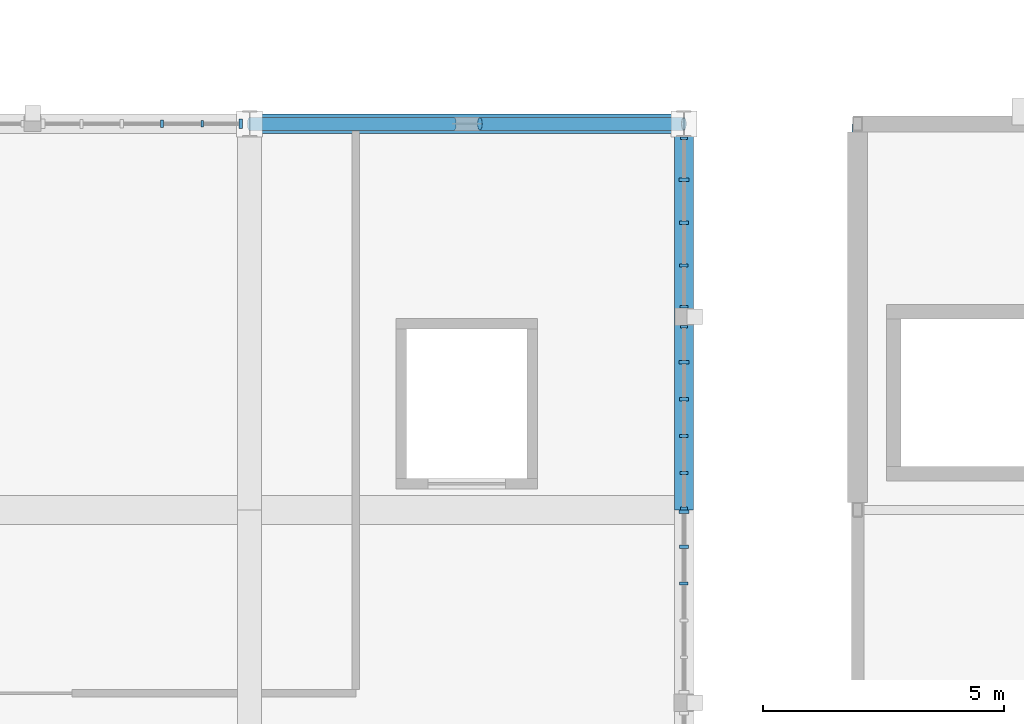
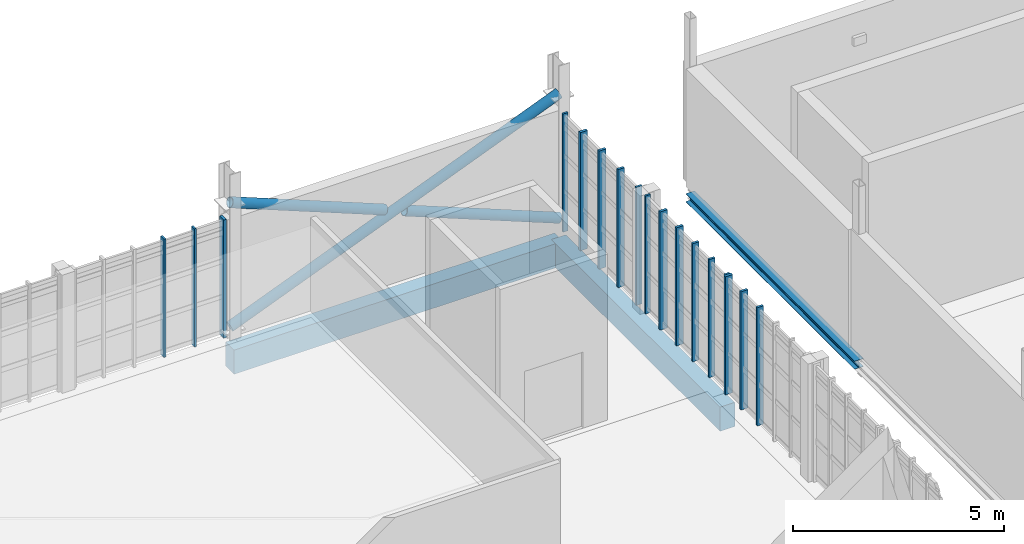
# One storey, part 26 of 128: 20 members, 3 beams, 4 elements without a shape of their own.
"""IFC4 building model written with IfcOpenShell, lengths in metres."""

import ifcopenshell
import ifcopenshell.guid

model = None  # the IFC model being written
_history = None  # IfcOwnerHistory: only IFC2X3 demands one
_inside = {}  # id of a spatial element -> (the spatial element, [elements in it])
_under = {}  # id of a project, library or spatial element -> (it, [spatial elements below it])
_declared = {}  # id of a project -> (the project, [libraries it declares])
_typed = {}  # id of a type object -> (the type object, [elements of that type])
_made_of = {}  # id of a material, layer set ... -> (it, [elements and type objects made of it])


def new_model(schema):
    """Start an empty IFC model of exactly this schema.

    Asked for "IFC4X3", IfcOpenShell would pick the latest addendum, in which some entities
    have other attributes; the version numbers below select the first issue.
    IFC2X3 requires an IfcOwnerHistory on every rooted entity: one is made here for all.
    """
    global model, _history
    if schema == "IFC4X3":
        model = ifcopenshell.file(schema_version=(4, 3, 0, 0))
    else:
        model = ifcopenshell.file(schema=schema)
    _inside.clear()
    _under.clear()
    _declared.clear()
    _typed.clear()
    _made_of.clear()
    _history = None
    if model.schema == "IFC2X3":
        org = make("IfcOrganization", Name="unknown")
        user = make(
            "IfcPersonAndOrganization",
            ThePerson=make("IfcPerson", FamilyName="unknown"),
            TheOrganization=org,
        )
        app = make(
            "IfcApplication",
            ApplicationDeveloper=org,
            Version="unknown",
            ApplicationFullName="unknown",
            ApplicationIdentifier="unknown",
        )
        _history = make(
            "IfcOwnerHistory",
            OwningUser=user,
            OwningApplication=app,
            ChangeAction="ADDED",
            CreationDate=0,
        )
    return model


def make(cls, **values):
    """One entity of the class cls with the attributes given. An attribute that is None is left unset."""
    return model.create_entity(
        cls, **{name: value for name, value in values.items() if value is not None}
    )


def rooted(cls, **values):
    """An entity with a GlobalId (a new one), such as an element, a storey or a relation."""
    return make(cls, GlobalId=ifcopenshell.guid.new(), OwnerHistory=_history, **values)


def si_unit(unit_type, name, prefix=None):
    """IfcSIUnit, for example si_unit("LENGTHUNIT", "METRE", prefix="MILLI")."""
    return make("IfcSIUnit", UnitType=unit_type, Prefix=prefix, Name=name)


def assignment(units):
    """IfcUnitAssignment: the units of a project."""
    return None if units is None else make("IfcUnitAssignment", Units=units)


def point(xyz):
    """IfcCartesianPoint."""
    return None if xyz is None else make("IfcCartesianPoint", Coordinates=xyz)


def direction(xyz):
    """IfcDirection."""
    return None if xyz is None else make("IfcDirection", DirectionRatios=xyz)


def frame(location, z_axis=None, x_axis=None):
    """IfcAxis2Placement3D, a coordinate frame: its origin and axes. An axis left out is left unset."""
    return make(
        "IfcAxis2Placement3D",
        Location=point(location),
        Axis=direction(z_axis),
        RefDirection=direction(x_axis),
    )


def frame_2d(location, x_axis=None):
    """IfcAxis2Placement2D, a coordinate frame in the plane: its origin and x axis."""
    return make(
        "IfcAxis2Placement2D", Location=point(location), RefDirection=direction(x_axis)
    )


def origin():
    """The frame at (0, 0, 0) with its axes left unset."""
    return frame((0.0, 0.0, 0.0))


def origin_2d():
    """The frame at (0, 0) in the plane with its x axis left unset."""
    return frame_2d((0.0, 0.0))


def place(relative_to, where):
    """IfcLocalPlacement: puts the frame where relative to a parent placement (None: the world)."""
    return make(
        "IfcLocalPlacement", PlacementRelTo=relative_to, RelativePlacement=where
    )


def context(
    kind, dimensions, precision=None, world=None, true_north=None, identifier=None
):
    """IfcGeometricRepresentationContext, for example the 3D "Model" context."""
    return make(
        "IfcGeometricRepresentationContext",
        ContextIdentifier=identifier,
        ContextType=kind,
        CoordinateSpaceDimension=dimensions,
        Precision=precision,
        WorldCoordinateSystem=world,
        TrueNorth=true_north,
    )


def subcontext(parent, identifier, kind, view, scale=None):
    """IfcGeometricRepresentationSubContext, for example "Body" below "Model"."""
    return make(
        "IfcGeometricRepresentationSubContext",
        ContextIdentifier=identifier,
        ContextType=kind,
        ParentContext=parent,
        TargetScale=scale,
        TargetView=view,
    )


def project(units=None, contexts=None):
    """IfcProject with its units and contexts."""
    return rooted(
        "IfcProject",
        Name="project",
        RepresentationContexts=contexts,
        UnitsInContext=assignment(units),
    )


def spatial(cls, under=None, at=None, **own):
    """A site, building, storey or space (cls), placed at a placement, below another one or the project."""
    s = rooted(cls, ObjectPlacement=at, **own)
    if under is not None:
        _under.setdefault(under.id(), (under, []))[1].append(s)
    return s


def profile(cls, at=None, kind="AREA", **sizes):
    """A parametric profile (cls). Its sizes go by their IFC names, for example OverallWidth=200.0."""
    return make(cls, ProfileType=kind, Position=at, **sizes)


def rectangle(**sizes):
    """IfcRectangleProfileDef."""
    return profile("IfcRectangleProfileDef", **sizes)


def hollow_circle(**sizes):
    """IfcCircleHollowProfileDef."""
    return profile("IfcCircleHollowProfileDef", **sizes)


def i_section(**sizes):
    """IfcIShapeProfileDef."""
    return profile("IfcIShapeProfileDef", **sizes)


def extrude(swept, where, along, depth):
    """IfcExtrudedAreaSolid: the profile swept, set in the frame where, extruded along a direction by depth."""
    return make(
        "IfcExtrudedAreaSolid",
        SweptArea=swept,
        Position=where,
        ExtrudedDirection=direction(along),
        Depth=depth,
    )


def shape(context_of_items, identifier, shape_type, items):
    """IfcShapeRepresentation: the items that make up one representation, for example the "Body"."""
    return make(
        "IfcShapeRepresentation",
        ContextOfItems=context_of_items,
        RepresentationIdentifier=identifier,
        RepresentationType=shape_type,
        Items=items,
    )


def material(Name=None, Category=None):
    """IfcMaterial."""
    return make("IfcMaterial", Name=Name, Category=Category)


def material_profile(
    of_material, cross_section, Name=None, Category=None, Priority=None
):
    """IfcMaterialProfile: a cross section and its material."""
    return make(
        "IfcMaterialProfile",
        Name=Name,
        Material=of_material,
        Profile=cross_section,
        Priority=Priority,
        Category=Category,
    )


def profile_set(profiles, Name=None, composite=None):
    """IfcMaterialProfileSet."""
    return make(
        "IfcMaterialProfileSet",
        Name=Name,
        MaterialProfiles=profiles,
        CompositeProfile=composite,
    )


def made_of(thing, what):
    """Note that an element or type object is made of a material, layer set ...; save() writes the relation."""
    if what is not None:
        _made_of.setdefault(what.id(), (what, []))[1].append(thing)
    return thing


def type_object(cls, material=None, **own):
    """A type object (cls), such as IfcWallType, which elements share."""
    return made_of(rooted(cls, **own), material)


def element(
    cls,
    number,
    at=None,
    inside=None,
    cuts=None,
    type_object=None,
    material=None,
    context=None,
    identifier="Body",
    shape_type=None,
    held_by="IfcProductDefinitionShape",
    body=None,
    shapes=None,
    **own,
):
    """One element of the class cls, such as IfcWall. Its Tag is "e" and its number.

    at: its placement. inside: the storey or other place that contains it. cuts: it is an
    opening in that element (IfcRelVoidsElement). A single representation is given by context,
    identifier, shape_type and body (its items); several are given by shapes. held_by: the class
    of the entity that holds the representations. save() writes the other relations.
    """
    e = rooted(cls, Tag="e%d" % number, ObjectPlacement=at, **own)
    if body is not None:
        shapes = [shape(context, identifier, shape_type, body)]
    if shapes is not None:
        e.Representation = make(held_by, Representations=shapes)
    if inside is not None:
        _inside.setdefault(inside.id(), (inside, []))[1].append(e)
    if cuts is not None:
        rooted(
            "IfcRelVoidsElement", RelatingBuildingElement=cuts, RelatedOpeningElement=e
        )
    if type_object is not None:
        _typed.setdefault(type_object.id(), (type_object, []))[1].append(e)
    return made_of(e, material)


def aggregate(whole, parts):
    """IfcRelAggregates: a whole, such as a stair, and the parts it consists of."""
    return rooted("IfcRelAggregates", RelatingObject=whole, RelatedObjects=parts)


def save(model, path):
    """Write the relations noted so far, then the file.

    IfcRelAggregates (storeys below a building ...), IfcRelContainedInSpatialStructure (elements
    in a storey), IfcRelDefinesByType, IfcRelAssociatesMaterial and IfcRelDeclares: one each for
    every whole, place, type object, material and project.
    """
    for whole, parts in _under.values():
        aggregate(whole, parts)
    for where, things in _inside.values():
        rooted(
            "IfcRelContainedInSpatialStructure",
            RelatedElements=things,
            RelatingStructure=where,
        )
    for kind, things in _typed.values():
        rooted("IfcRelDefinesByType", RelatedObjects=things, RelatingType=kind)
    for what, things in _made_of.values():
        rooted("IfcRelAssociatesMaterial", RelatedObjects=things, RelatingMaterial=what)
    for by, libraries in _declared.values():
        rooted("IfcRelDeclares", RelatingContext=by, RelatedDefinitions=libraries)
    model.write(path)


model = new_model("IFC4")

# Units and contexts
model_context = context("Model", 3, precision=1e-05, world=origin(), true_north=direction((0.0, 1.0)))
body_context = subcontext(model_context, "Body", "Model", "MODEL_VIEW")
ifc_project = project(units=[si_unit("LENGTHUNIT", "METRE"), si_unit("AREAUNIT", "SQUARE_METRE"), si_unit("VOLUMEUNIT", "CUBIC_METRE"), si_unit("PLANEANGLEUNIT", "RADIAN"), si_unit("MASSUNIT", "GRAM", prefix="KILO")], contexts=[model_context])

# Site, building, storey
site_placement = place(None, origin())
site = spatial("IfcSite", under=ifc_project, at=site_placement, CompositionType="ELEMENT")
building_placement = place(site_placement, origin())
building = spatial("IfcBuilding", under=site, at=building_placement, Name="Serraforn Aerial Cableway Station", CompositionType="ELEMENT")
storey_placement = place(building_placement, frame((0.0, 0.0, 9.0)))
storey = spatial("IfcBuildingStorey", under=building, at=storey_placement, Name="L02", CompositionType="ELEMENT", Elevation=9.0)

# Beams
ifc_material_1 = material(Name="Concrete C35/45", Category="concrete")
ifc_material_profile_1 = material_profile(ifc_material_1, rectangle(XDim=0.39990234375, YDim=0.699951171875, at=origin_2d()), Name="RC 400x700")
ifc_profile_set_1 = profile_set([ifc_material_profile_1], Name="Concrete C35/45")
beam_type_1 = type_object("IfcBeamType", Name="BM-RC-400x700E", PredefinedType="SPANDREL", material=ifc_profile_set_1)
beam_1_placement = place(storey_placement, frame((81.60009765625, 42.0, -0.7099609375), z_axis=(1.0, 0.0, 0.0), x_axis=(0.0, 1.0, 0.0)))
element("IfcBeam", 1, at=beam_1_placement, inside=storey, type_object=beam_type_1, Name="Grid Girder X CV L02 Y4-7", PredefinedType="SPANDREL", context=body_context, shape_type="SweptSolid", body=[
    extrude(rectangle(XDim=0.39990234375, YDim=0.699951171875, at=origin_2d()), origin(), (0.0, 0.0, 1.0), 9.0),
])
beam_2_placement = place(storey_placement, frame((90.60009765625, 34.0, -0.7099609375), z_axis=(0.0, 1.0, 0.0), x_axis=(-1.0, 0.0, 0.0)))
element("IfcBeam", 2, at=beam_2_placement, inside=storey, type_object=beam_type_1, Name="Grid Girder Y CV L02 X8-3", PredefinedType="SPANDREL", context=body_context, shape_type="SweptSolid", body=[
    extrude(rectangle(XDim=0.39990234375, YDim=0.699951171875, at=origin_2d()), origin(), (0.0, 0.0, 1.0), 8.0),
])
ifc_material_2 = material(Name="Steel S355JR", Category="steel")
ifc_material_profile_2 = material_profile(ifc_material_2, i_section(OverallWidth=0.239990234375, OverallDepth=0.239990234375, WebThickness=0.007568359375, FlangeThickness=0.011962890625, FilletRadius=0.02099609375, at=origin_2d()), Name="HEA 240")
ifc_profile_set_2 = profile_set([ifc_material_profile_2], Name="Steel S355JR")
beam_type_2 = type_object("IfcBeamType", Name="BM-ST-HEA240", PredefinedType="BEAM", material=ifc_profile_set_2)
beam_3_placement = place(storey_placement, frame((94.199951171875, 34.0, -0.43994140625), z_axis=(0.0, 1.0, 0.0), x_axis=(-1.0, 0.0, 0.0)))
element("IfcBeam", 3, at=beam_3_placement, inside=storey, type_object=beam_type_2, Name="Grid Girder Y EL L02 X1-2", PredefinedType="BEAM", context=body_context, shape_type="SweptSolid", body=[
    extrude(i_section(OverallWidth=0.239990234375, OverallDepth=0.239990234375, WebThickness=0.007568359375, FlangeThickness=0.011962890625, FilletRadius=0.02099609375, at=origin_2d()), origin(), (0.0, 0.0, 1.0), 8.0),
])

# Curtain wall, member
ifc_material_3 = material(Name="Anodised bronze unitised curtain wall")
curtain_wall_type_1 = type_object("IfcCurtainWallType", Name="CW-SYS-25", PredefinedType="USERDEFINED", material=ifc_material_3)
curtain_wall_1_placement = place(storey_placement, origin())
curtain_wall_1 = element("IfcCurtainWall", 4, at=curtain_wall_1_placement, inside=storey, type_object=curtain_wall_type_1, Name="Unitised Curtain Wall CW-CV-L02-N6A", ObjectType="UNITISED CURTAIN WALL", PredefinedType="USERDEFINED")
ifc_material_4 = material(Name="Anodised bronze extruded aluminium", Category="aluminium")
ifc_material_profile_3 = material_profile(ifc_material_4, rectangle(XDim=0.054931640625, YDim=0.139892578125, at=origin_2d()), Name="CW MULLION 55x140")
ifc_profile_set_3 = profile_set([ifc_material_profile_3], Name="Anodised bronze extruded aluminium")
member_type_1 = type_object("IfcMemberType", Name="CW-MUL-1", PredefinedType="MULLION", material=ifc_profile_set_3)
member_1_placement = place(storey_placement, frame((80.61767578125, 42.0, 0.0), z_axis=(0.0, 0.0, 1.0), x_axis=(-1.0, 0.0, 0.0)))
member_1 = element("IfcMember", 5, at=member_1_placement, type_object=member_type_1, Name="Curtain Wall Mullion CW-CV-L02-N6A-M2", PredefinedType="MULLION", context=body_context, shape_type="SweptSolid", body=[
    extrude(rectangle(XDim=0.054931640625, YDim=0.139892578125, at=origin_2d()), origin(), (0.0, 0.0, 1.0), 3.419921875),
])

# Curtain wall, members
curtain_wall_type_2 = type_object("IfcCurtainWallType", Name="CW-SYS-3", PredefinedType="USERDEFINED", material=ifc_material_3)
curtain_wall_2_placement = place(storey_placement, origin())
curtain_wall_2 = element("IfcCurtainWall", 6, at=curtain_wall_2_placement, inside=storey, type_object=curtain_wall_type_2, Name="Unitised Curtain Wall CW-CV-L02-E3A", ObjectType="UNITISED CURTAIN WALL", PredefinedType="USERDEFINED")
member_2_placement = place(storey_placement, frame((90.60009765625, 34.027587890625, 0.0), z_axis=(0.0, 0.0, 1.0), x_axis=(0.0, 1.0, 0.0)))
member_2 = element("IfcMember", 7, at=member_2_placement, type_object=member_type_1, Name="Curtain Wall Mullion CW-CV-L02-E3A-M1", PredefinedType="MULLION", context=body_context, shape_type="SweptSolid", body=[
    extrude(rectangle(XDim=0.054931640625, YDim=0.139892578125, at=origin_2d()), origin(), (0.0, 0.0, 1.0), 3.419921875),
])
member_3_placement = place(storey_placement, frame((90.60009765625, 37.79248046875, 0.0), z_axis=(0.0, 0.0, 1.0), x_axis=(0.0, 1.0, 0.0)))
member_3 = element("IfcMember", 8, at=member_3_placement, type_object=member_type_1, Name="Curtain Wall Mullion CW-CV-L02-E3A-M6", PredefinedType="MULLION", context=body_context, shape_type="SweptSolid", body=[
    extrude(rectangle(XDim=0.054931640625, YDim=0.139892578125, at=origin_2d()), origin(), (0.0, 0.0, 1.0), 3.419921875),
])

# Curtain wall, member
curtain_wall_type_3 = type_object("IfcCurtainWallType", Name="CW-SYS-4", PredefinedType="USERDEFINED", material=ifc_material_3)
curtain_wall_3_placement = place(storey_placement, origin())
curtain_wall_3 = element("IfcCurtainWall", 9, at=curtain_wall_3_placement, inside=storey, type_object=curtain_wall_type_3, Name="Unitised Curtain Wall CW-CV-L02-E3B", ObjectType="UNITISED CURTAIN WALL", PredefinedType="USERDEFINED")
member_4_placement = place(storey_placement, frame((90.60009765625, 41.699462890625, 0.0), z_axis=(0.0, 0.0, 1.0), x_axis=(0.0, 1.0, 0.0)))
member_4 = element("IfcMember", 10, at=member_4_placement, type_object=member_type_1, Name="Curtain Wall Mullion CW-CV-L02-E3B-M5", PredefinedType="MULLION", context=body_context, shape_type="SweptSolid", body=[
    extrude(rectangle(XDim=0.054931640625, YDim=0.139892578125, at=origin_2d()), origin(), (0.0, 0.0, 1.0), 3.419921875),
])

# Member
ifc_material_profile_4 = material_profile(ifc_material_4, rectangle(XDim=0.06005859375, YDim=0.159912109375, at=origin_2d()), Name="CW MULLION 60x160")
ifc_profile_set_4 = profile_set([ifc_material_profile_4], Name="Anodised bronze extruded aluminium")
member_type_2 = type_object("IfcMemberType", Name="CW-MUL-2", PredefinedType="MULLION", material=ifc_profile_set_4)
member_5_placement = place(storey_placement, frame((79.783203125, 42.0, 0.0), z_axis=(0.0, 0.0, 1.0), x_axis=(-1.0, 0.0, 0.0)))
member_5 = element("IfcMember", 11, at=member_5_placement, type_object=member_type_2, Name="Curtain Wall Mullion CW-CV-L02-N6A-M3", PredefinedType="MULLION", context=body_context, shape_type="SweptSolid", body=[
    extrude(rectangle(XDim=0.06005859375, YDim=0.159912109375, at=origin_2d()), origin(), (0.0, 0.0, 1.0), 3.419921875),
])

member_6_placement = place(storey_placement, frame((90.60009765625, 34.763916015625, 0.0), z_axis=(0.0, 0.0, 1.0), x_axis=(0.0, 1.0, 0.0)))
member_6 = element("IfcMember", 12, at=member_6_placement, type_object=member_type_2, Name="Curtain Wall Mullion CW-CV-L02-E3A-M2", PredefinedType="MULLION", context=body_context, shape_type="SweptSolid", body=[
    extrude(rectangle(XDim=0.06005859375, YDim=0.159912109375, at=origin_2d()), origin(), (0.0, 0.0, 1.0), 3.419921875),
])

member_7_placement = place(storey_placement, frame((90.60009765625, 38.2099609375, 0.0), z_axis=(0.0, 0.0, 1.0), x_axis=(0.0, 1.0, 0.0)))
member_7 = element("IfcMember", 13, at=member_7_placement, type_object=member_type_2, Name="Curtain Wall Mullion CW-CV-L02-E3B-M1", PredefinedType="MULLION", context=body_context, shape_type="SweptSolid", body=[
    extrude(rectangle(XDim=0.06005859375, YDim=0.159912109375, at=origin_2d()), origin(), (0.0, 0.0, 1.0), 3.419921875),
])

# Curtain wall, member
curtain_wall_type_4 = type_object("IfcCurtainWallType", Name="CW-SYS-2", PredefinedType="USERDEFINED", material=ifc_material_3)
curtain_wall_4_placement = place(storey_placement, origin())
curtain_wall_4 = element("IfcCurtainWall", 14, at=curtain_wall_4_placement, inside=storey, type_object=curtain_wall_type_4, Name="Unitised Curtain Wall CW-CV-L02-E2B", ObjectType="UNITISED CURTAIN WALL", PredefinedType="USERDEFINED")
ifc_material_profile_5 = material_profile(ifc_material_4, rectangle(XDim=0.06494140625, YDim=0.175048828125, at=origin_2d()), Name="CW MULLION 65x175")
ifc_profile_set_5 = profile_set([ifc_material_profile_5], Name="Anodised bronze extruded aluminium")
member_type_3 = type_object("IfcMemberType", Name="CW-MUL-3", PredefinedType="MULLION", material=ifc_profile_set_5)
member_8_placement = place(storey_placement, frame((90.60009765625, 32.471923828125, 0.0), z_axis=(0.0, 0.0, 1.0), x_axis=(0.0, 1.0, 0.0)))
member_8 = element("IfcMember", 15, at=member_8_placement, type_object=member_type_3, Name="Curtain Wall Mullion CW-CV-L02-E2B-M4", PredefinedType="MULLION", context=body_context, shape_type="SweptSolid", body=[
    extrude(rectangle(XDim=0.06494140625, YDim=0.175048828125, at=origin_2d()), origin(), (0.0, 0.0, 1.0), 3.419921875),
])

# Member
member_9_placement = place(storey_placement, frame((90.60009765625, 35.528076171875, 0.0), z_axis=(0.0, 0.0, 1.0), x_axis=(0.0, 1.0, 0.0)))
member_9 = element("IfcMember", 16, at=member_9_placement, type_object=member_type_3, Name="Curtain Wall Mullion CW-CV-L02-E3A-M3", PredefinedType="MULLION", context=body_context, shape_type="SweptSolid", body=[
    extrude(rectangle(XDim=0.06494140625, YDim=0.175048828125, at=origin_2d()), origin(), (0.0, 0.0, 1.0), 3.419921875),
])

member_10_placement = place(storey_placement, frame((90.60009765625, 39.066650390625, 0.0), z_axis=(0.0, 0.0, 1.0), x_axis=(0.0, 1.0, 0.0)))
member_10 = element("IfcMember", 17, at=member_10_placement, type_object=member_type_3, Name="Curtain Wall Mullion CW-CV-L02-E3B-M2", PredefinedType="MULLION", context=body_context, shape_type="SweptSolid", body=[
    extrude(rectangle(XDim=0.06494140625, YDim=0.175048828125, at=origin_2d()), origin(), (0.0, 0.0, 1.0), 3.419921875),
])

ifc_material_profile_6 = material_profile(ifc_material_4, rectangle(XDim=0.070068359375, YDim=0.18994140625, at=origin_2d()), Name="CW MULLION 70x190")
ifc_profile_set_6 = profile_set([ifc_material_profile_6], Name="Anodised bronze extruded aluminium")
member_type_4 = type_object("IfcMemberType", Name="CW-MUL-4", PredefinedType="MULLION", material=ifc_profile_set_6)
member_11_placement = place(storey_placement, frame((90.60009765625, 33.236083984375, 0.0), z_axis=(0.0, 0.0, 1.0), x_axis=(0.0, 1.0, 0.0)))
member_11 = element("IfcMember", 18, at=member_11_placement, type_object=member_type_4, Name="Curtain Wall Mullion CW-CV-L02-E2B-M5", PredefinedType="MULLION", context=body_context, shape_type="SweptSolid", body=[
    extrude(rectangle(XDim=0.070068359375, YDim=0.18994140625, at=origin_2d()), origin(), (0.0, 0.0, 1.0), 3.419921875),
])

member_12_placement = place(storey_placement, frame((90.60009765625, 36.2919921875, 0.0), z_axis=(0.0, 0.0, 1.0), x_axis=(0.0, 1.0, 0.0)))
member_12 = element("IfcMember", 19, at=member_12_placement, type_object=member_type_4, Name="Curtain Wall Mullion CW-CV-L02-E3A-M4", PredefinedType="MULLION", context=body_context, shape_type="SweptSolid", body=[
    extrude(rectangle(XDim=0.070068359375, YDim=0.18994140625, at=origin_2d()), origin(), (0.0, 0.0, 1.0), 3.419921875),
])

member_13_placement = place(storey_placement, frame((90.60009765625, 39.95361328125, 0.0), z_axis=(0.0, 0.0, 1.0), x_axis=(0.0, 1.0, 0.0)))
member_13 = element("IfcMember", 20, at=member_13_placement, type_object=member_type_4, Name="Curtain Wall Mullion CW-CV-L02-E3B-M3", PredefinedType="MULLION", context=body_context, shape_type="SweptSolid", body=[
    extrude(rectangle(XDim=0.070068359375, YDim=0.18994140625, at=origin_2d()), origin(), (0.0, 0.0, 1.0), 3.419921875),
])

ifc_material_profile_7 = material_profile(ifc_material_4, rectangle(XDim=0.074951171875, YDim=0.199951171875, at=origin_2d()), Name="CW MULLION 75x200")
ifc_profile_set_7 = profile_set([ifc_material_profile_7], Name="Anodised bronze extruded aluminium")
member_type_5 = type_object("IfcMemberType", Name="CW-MUL-5", PredefinedType="MULLION", material=ifc_profile_set_7)
member_14_placement = place(storey_placement, frame((81.41455078125, 42.0, 0.0), z_axis=(0.0, 0.0, 1.0), x_axis=(-1.0, 0.0, 0.0)))
member_14 = element("IfcMember", 21, at=member_14_placement, type_object=member_type_5, Name="Curtain Wall Mullion CW-CV-L02-N6A-M1", PredefinedType="MULLION", context=body_context, shape_type="SweptSolid", body=[
    extrude(rectangle(XDim=0.074951171875, YDim=0.199951171875, at=origin_2d()), origin(), (0.0, 0.0, 1.0), 3.419921875),
])

aggregate(curtain_wall_1, [member_14, member_1, member_5])

member_15_placement = place(storey_placement, frame((90.60009765625, 33.96240234375, 0.0), z_axis=(0.0, 0.0, 1.0), x_axis=(0.0, 1.0, 0.0)))
member_15 = element("IfcMember", 22, at=member_15_placement, type_object=member_type_5, Name="Curtain Wall Mullion CW-CV-L02-E2B-M6", PredefinedType="MULLION", context=body_context, shape_type="SweptSolid", body=[
    extrude(rectangle(XDim=0.074951171875, YDim=0.199951171875, at=origin_2d()), origin(), (0.0, 0.0, 1.0), 3.419921875),
])

aggregate(curtain_wall_4, [member_8, member_11, member_15])

member_16_placement = place(storey_placement, frame((90.60009765625, 37.055908203125, 0.0), z_axis=(0.0, 0.0, 1.0), x_axis=(0.0, 1.0, 0.0)))
member_16 = element("IfcMember", 23, at=member_16_placement, type_object=member_type_5, Name="Curtain Wall Mullion CW-CV-L02-E3A-M5", PredefinedType="MULLION", context=body_context, shape_type="SweptSolid", body=[
    extrude(rectangle(XDim=0.074951171875, YDim=0.199951171875, at=origin_2d()), origin(), (0.0, 0.0, 1.0), 3.419921875),
])

aggregate(curtain_wall_2, [member_2, member_6, member_9, member_12, member_16, member_3])

member_17_placement = place(storey_placement, frame((90.60009765625, 40.840087890625, 0.0), z_axis=(0.0, 0.0, 1.0), x_axis=(0.0, 1.0, 0.0)))
member_17 = element("IfcMember", 24, at=member_17_placement, type_object=member_type_5, Name="Curtain Wall Mullion CW-CV-L02-E3B-M4", PredefinedType="MULLION", context=body_context, shape_type="SweptSolid", body=[
    extrude(rectangle(XDim=0.074951171875, YDim=0.199951171875, at=origin_2d()), origin(), (0.0, 0.0, 1.0), 3.419921875),
])

aggregate(curtain_wall_3, [member_7, member_10, member_13, member_17, member_4])

# Members
ifc_material_5 = material(Name="Steel S355J2", Category="steel")
ifc_material_profile_8 = material_profile(ifc_material_5, hollow_circle(Radius=0.136474609375, WallThickness=0.012451171875, at=origin_2d()), Name="CHS 273.0x12.5")
ifc_profile_set_8 = profile_set([ifc_material_profile_8], Name="Steel S355J2")
member_type_6 = type_object("IfcMemberType", Name="MEM-WB-CHS273", PredefinedType="BRACE", material=ifc_profile_set_8)
member_18_placement = place(storey_placement, frame((81.60009765625, 42.0, 0.199951171875), z_axis=(0.928473216852, 0.0, 0.37139936132), x_axis=(0.0, 1.0, 0.0)))
element("IfcMember", 25, at=member_18_placement, inside=storey, type_object=member_type_6, Name="High-Level Lateral Wind Brace 4", PredefinedType="BRACE", context=body_context, shape_type="SweptSolid", body=[
    extrude(hollow_circle(Radius=0.136474609375, WallThickness=0.012451171875, at=origin_2d()), origin(), (0.0, 0.0, 1.0), 9.693359375),
])
for number, where, z_axis, x_axis, name in (
    (26, (81.60009765625, 42.0, 3.800048828125), (0.9284656033, 0.0, -0.371418394117), (0.0, 1.0, 0.0), "Split X-Brace Upper Segment 4-1"),
    (27, (86.3701171875, 42.0, 1.89208984375), (0.9284656033, 0.0, -0.371418394117), (0.0, 1.0, 0.0), "Split X-Brace Lower Segment 4-2"),
):
    element("IfcMember", number, at=place(storey_placement, frame(where, z_axis=z_axis, x_axis=x_axis)), inside=storey, type_object=member_type_6, Name=name, PredefinedType="BRACE", context=body_context, shape_type="SweptSolid", body=[
        extrude(hollow_circle(Radius=0.136474609375, WallThickness=0.012451171875, at=origin_2d()), origin(), (0.0, 0.0, 1.0), 4.555908203125),
    ])

save(model, "model.ifc")
